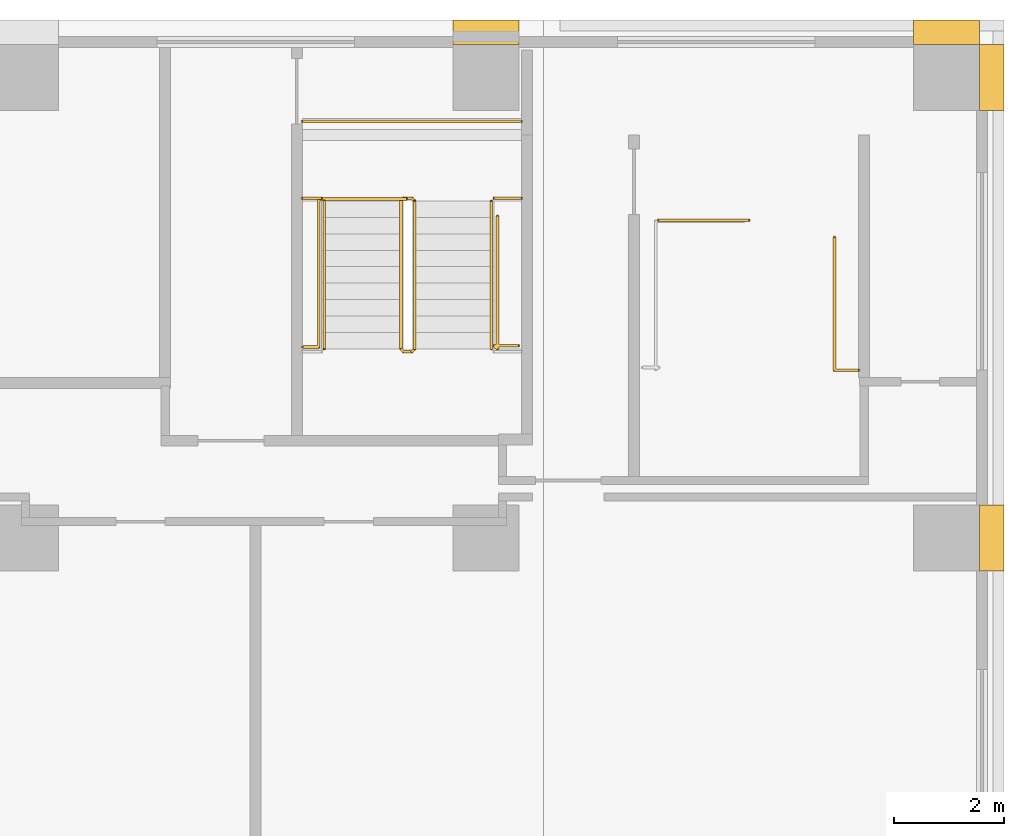
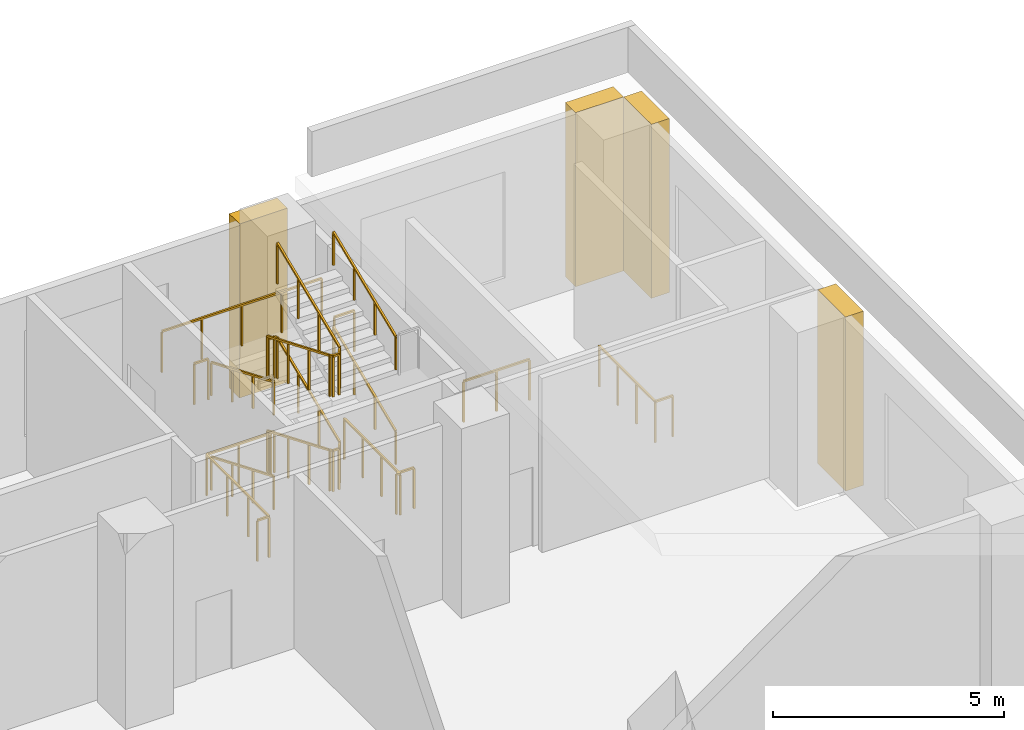
# One storey, part 23 of 23: 12 railings, 4 coverings.
"""IFC4 building model written with IfcOpenShell, lengths in metres."""

from ifc_helpers import new_model, si_unit, direction, frame, origin, origin_2d, place, context, subcontext, project, spatial, polyline, rectangle, outline, extrude, material, type_object, element, save


model = new_model("IFC4")

# Units and contexts
model_context = context("Model", 3, precision=1e-05, world=origin(), true_north=direction((0.0, 1.0)))
body_context = subcontext(model_context, "Body", "Model", "MODEL_VIEW")
ifc_project = project(units=[si_unit("LENGTHUNIT", "METRE"), si_unit("AREAUNIT", "SQUARE_METRE"), si_unit("VOLUMEUNIT", "CUBIC_METRE"), si_unit("PLANEANGLEUNIT", "RADIAN"), si_unit("MASSUNIT", "GRAM", prefix="KILO")], contexts=[model_context])

# Site, building, storey
site_placement = place(None, origin())
site = spatial("IfcSite", under=ifc_project, at=site_placement, CompositionType="ELEMENT")
building_placement = place(site_placement, origin())
building = spatial("IfcBuilding", under=site, at=building_placement, Name="Vermilion Ogive Tower", CompositionType="ELEMENT")
storey_placement = place(building_placement, frame((0.0, 0.0, 20.0)))
storey = spatial("IfcBuildingStorey", under=building, at=storey_placement, Name="L03", CompositionType="ELEMENT", Elevation=20.0)

# Railings
ifc_material_1 = material(Name="Steel S355 painted", Category="steel")
railing_type_1 = type_object("IfcRailingType", Name="Stair guard 1100", PredefinedType="GUARDRAIL", material=ifc_material_1)
railing_1_placement = place(storey_placement, frame((40.64990234375, 27.199951171875, 0.0)))
element("IfcRailing", 1, at=railing_1_placement, inside=storey, type_object=railing_type_1, Name="L03 PS2 stair guard 8", PredefinedType="GUARDRAIL", context=body_context, shape_type="SweptSolid", body=[
    extrude(rectangle(XDim=0.048095703125, YDim=0.048095703125, at=origin_2d()), frame((0.0, 0.0, 1.076171875), z_axis=(-1.0, 0.0, 0.0), x_axis=(0.0, -1.0, 0.0)), (0.0, 0.0, 1.0), 0.14990234375),
    extrude(rectangle(XDim=0.048095703125, YDim=0.048095703125, at=origin_2d()), frame((-0.14990234375, 0.0, 1.076171875), z_axis=(-0.34841279274, -0.34841279274, 0.870182194549), x_axis=(0.707106781187, -0.707106781187, 0.0)), (0.0, 0.0, 1.0), 0.1435546875),
    extrude(rectangle(XDim=0.048095703125, YDim=0.048095703125, at=origin_2d()), frame((-0.199951171875, -0.050048828125, 1.201171875), z_axis=(0.0, -0.923074453586, 0.384621311341), x_axis=(1.0, 0.0, 0.0)), (0.0, 0.0, 1.0), 2.925048828125),
    extrude(rectangle(XDim=0.048095703125, YDim=0.048095703125, at=origin_2d()), frame((-0.199951171875, -2.75, 2.326171875), z_axis=(0.707106781187, -0.707106781187, 0.0), x_axis=(0.707106781187, 0.707106781187, 0.0)), (0.0, 0.0, 1.0), 0.07080078125),
    extrude(rectangle(XDim=0.048095703125, YDim=0.048095703125, at=origin_2d()), frame((-0.14990234375, -2.800048828125, 2.326171875), z_axis=(1.0, 0.0, 0.0), x_axis=(0.0, 1.0, 0.0)), (0.0, 0.0, 1.0), 0.14990234375),
    extrude(rectangle(XDim=0.048095703125, YDim=0.048095703125, at=origin_2d()), frame((0.0, -2.800048828125, 2.326171875), z_axis=(0.34841279274, 0.34841279274, 0.870182194549), x_axis=(-0.707106781187, 0.707106781187, 0.0)), (0.0, 0.0, 1.0), 0.1435546875),
    extrude(rectangle(XDim=0.048095703125, YDim=0.048095703125, at=origin_2d()), frame((0.050048828125, -2.75, 2.451171875), z_axis=(0.0, 0.923074453586, 0.384621311341), x_axis=(-1.0, 0.0, 0.0)), (0.0, 0.0, 1.0), 2.925048828125),
    extrude(rectangle(XDim=0.048095703125, YDim=0.048095703125, at=origin_2d()), frame((0.050048828125, -0.050048828125, 3.576171875), z_axis=(-0.707106781187, 0.707106781187, 0.0), x_axis=(-0.707106781187, -0.707106781187, 0.0)), (0.0, 0.0, 1.0), 0.07080078125),
    extrude(rectangle(XDim=0.048095703125, YDim=0.048095703125, at=origin_2d()), frame((0.0, 0.0, 3.576171875), z_axis=(-1.0, 0.0, 0.0), x_axis=(0.0, -1.0, 0.0)), (0.0, 0.0, 1.0), 0.14990234375),
    extrude(rectangle(XDim=0.048095703125, YDim=0.048095703125, at=origin_2d()), frame((-0.14990234375, 0.0, 3.576171875), z_axis=(-0.34841279274, -0.34841279274, 0.870182194549), x_axis=(0.707106781187, -0.707106781187, 0.0)), (0.0, 0.0, 1.0), 0.1435546875),
    extrude(rectangle(XDim=0.048095703125, YDim=0.048095703125, at=origin_2d()), frame((-0.199951171875, -0.050048828125, 3.701171875), z_axis=(0.0, -0.923074453586, 0.384621311341), x_axis=(1.0, 0.0, 0.0)), (0.0, 0.0, 1.0), 2.925048828125),
    extrude(rectangle(XDim=0.048095703125, YDim=0.048095703125, at=origin_2d()), frame((-0.199951171875, -2.75, 4.826171875), z_axis=(0.707106781187, -0.707106781187, 0.0), x_axis=(0.707106781187, 0.707106781187, 0.0)), (0.0, 0.0, 1.0), 0.07080078125),
    extrude(rectangle(XDim=0.048095703125, YDim=0.048095703125, at=origin_2d()), frame((-0.14990234375, -2.800048828125, 4.826171875), z_axis=(1.0, 0.0, 0.0), x_axis=(0.0, 1.0, 0.0)), (0.0, 0.0, 1.0), 0.14990234375),
    extrude(rectangle(XDim=0.048095703125, YDim=0.048095703125, at=origin_2d()), frame((0.0, -2.800048828125, 4.826171875), z_axis=(0.34841279274, 0.34841279274, 0.870182194549), x_axis=(-0.707106781187, 0.707106781187, 0.0)), (0.0, 0.0, 1.0), 0.1435546875),
    extrude(rectangle(XDim=0.048095703125, YDim=0.048095703125, at=origin_2d()), frame((0.050048828125, -2.75, 4.951171875), z_axis=(0.0, 0.923074453586, 0.384621311341), x_axis=(-1.0, 0.0, 0.0)), (0.0, 0.0, 1.0), 2.925048828125),
    extrude(rectangle(XDim=0.0419921875, YDim=0.0419921875, at=origin_2d()), origin(), (0.0, 0.0, 1.0), 1.052001953125),
    extrude(rectangle(XDim=0.0419921875, YDim=0.0419921875, at=origin_2d()), frame((-0.14990234375, 0.0, 0.0)), (0.0, 0.0, 1.0), 1.052001953125),
    extrude(rectangle(XDim=0.0419921875, YDim=0.0419921875, at=origin_2d()), frame((-0.199951171875, -0.050048828125, 0.125)), (0.0, 0.0, 1.0), 1.052001953125),
    extrude(rectangle(XDim=0.0419921875, YDim=0.0419921875, at=origin_2d()), frame((-0.199951171875, -0.949951171875, 0.5)), (0.0, 0.0, 1.0), 1.052001953125),
    extrude(rectangle(XDim=0.0419921875, YDim=0.0419921875, at=origin_2d()), frame((-0.199951171875, -1.85009765625, 0.875)), (0.0, 0.0, 1.0), 1.052001953125),
    extrude(rectangle(XDim=0.0419921875, YDim=0.0419921875, at=origin_2d()), frame((-0.199951171875, -2.75, 1.25)), (0.0, 0.0, 1.0), 1.052001953125),
    extrude(rectangle(XDim=0.0419921875, YDim=0.0419921875, at=origin_2d()), frame((-0.14990234375, -2.800048828125, 1.25)), (0.0, 0.0, 1.0), 1.052001953125),
    extrude(rectangle(XDim=0.0419921875, YDim=0.0419921875, at=origin_2d()), frame((0.0, -2.800048828125, 1.25)), (0.0, 0.0, 1.0), 1.052001953125),
    extrude(rectangle(XDim=0.0419921875, YDim=0.0419921875, at=origin_2d()), frame((0.050048828125, -2.75, 1.375)), (0.0, 0.0, 1.0), 1.052001953125),
    extrude(rectangle(XDim=0.0419921875, YDim=0.0419921875, at=origin_2d()), frame((0.050048828125, -1.85009765625, 1.75)), (0.0, 0.0, 1.0), 1.052001953125),
    extrude(rectangle(XDim=0.0419921875, YDim=0.0419921875, at=origin_2d()), frame((0.050048828125, -0.949951171875, 2.125)), (0.0, 0.0, 1.0), 1.052001953125),
    extrude(rectangle(XDim=0.0419921875, YDim=0.0419921875, at=origin_2d()), frame((0.050048828125, -0.050048828125, 2.5)), (0.0, 0.0, 1.0), 1.052001953125),
    extrude(rectangle(XDim=0.0419921875, YDim=0.0419921875, at=origin_2d()), frame((0.0, 0.0, 2.5)), (0.0, 0.0, 1.0), 1.052001953125),
    extrude(rectangle(XDim=0.0419921875, YDim=0.0419921875, at=origin_2d()), frame((-0.14990234375, 0.0, 2.5)), (0.0, 0.0, 1.0), 1.052001953125),
    extrude(rectangle(XDim=0.0419921875, YDim=0.0419921875, at=origin_2d()), frame((-0.199951171875, -0.050048828125, 2.625)), (0.0, 0.0, 1.0), 1.052001953125),
    extrude(rectangle(XDim=0.0419921875, YDim=0.0419921875, at=origin_2d()), frame((-0.199951171875, -0.949951171875, 3.0)), (0.0, 0.0, 1.0), 1.052001953125),
    extrude(rectangle(XDim=0.0419921875, YDim=0.0419921875, at=origin_2d()), frame((-0.199951171875, -1.85009765625, 3.375)), (0.0, 0.0, 1.0), 1.052001953125),
    extrude(rectangle(XDim=0.0419921875, YDim=0.0419921875, at=origin_2d()), frame((-0.199951171875, -2.75, 3.75)), (0.0, 0.0, 1.0), 1.052001953125),
    extrude(rectangle(XDim=0.0419921875, YDim=0.0419921875, at=origin_2d()), frame((-0.14990234375, -2.800048828125, 3.75)), (0.0, 0.0, 1.0), 1.052001953125),
    extrude(rectangle(XDim=0.0419921875, YDim=0.0419921875, at=origin_2d()), frame((0.0, -2.800048828125, 3.75)), (0.0, 0.0, 1.0), 1.052001953125),
    extrude(rectangle(XDim=0.0419921875, YDim=0.0419921875, at=origin_2d()), frame((0.050048828125, -2.75, 3.875)), (0.0, 0.0, 1.0), 1.052001953125),
    extrude(rectangle(XDim=0.0419921875, YDim=0.0419921875, at=origin_2d()), frame((0.050048828125, -1.85009765625, 4.25)), (0.0, 0.0, 1.0), 1.052001953125),
    extrude(rectangle(XDim=0.0419921875, YDim=0.0419921875, at=origin_2d()), frame((0.050048828125, -0.949951171875, 4.625)), (0.0, 0.0, 1.0), 1.052001953125),
    extrude(rectangle(XDim=0.0419921875, YDim=0.0419921875, at=origin_2d()), frame((0.050048828125, -0.050048828125, 5.0)), (0.0, 0.0, 1.0), 1.052001953125),
])
railing_2_placement = place(storey_placement, frame((45.14990234375, 26.800048828125, 0.0)))
element("IfcRailing", 2, at=railing_2_placement, inside=storey, type_object=railing_type_1, Name="L03 PEN top well guard 1", PredefinedType="GUARDRAIL", context=body_context, shape_type="SweptSolid", body=[
    extrude(rectangle(XDim=0.048095703125, YDim=0.048095703125, at=origin_2d()), frame((0.0, 0.0, 1.076171875), z_axis=(1.0, 0.0, 0.0), x_axis=(0.0, 1.0, 0.0)), (0.0, 0.0, 1.0), 1.650146484375),
    extrude(rectangle(XDim=0.0419921875, YDim=0.0419921875, at=origin_2d()), origin(), (0.0, 0.0, 1.0), 1.052001953125),
    extrude(rectangle(XDim=0.0419921875, YDim=0.0419921875, at=origin_2d()), frame((0.8251953125, 0.0, 0.0)), (0.0, 0.0, 1.0), 1.052001953125),
    extrude(rectangle(XDim=0.0419921875, YDim=0.0419921875, at=origin_2d()), frame((1.650146484375, 0.0, 0.0)), (0.0, 0.0, 1.0), 1.052001953125),
])
railing_3_placement = place(storey_placement, frame((38.650146484375, 28.60009765625, 2.5)))
element("IfcRailing", 3, at=railing_3_placement, inside=storey, type_object=railing_type_1, Name="L03 landing guard", PredefinedType="GUARDRAIL", context=body_context, shape_type="SweptSolid", body=[
    extrude(rectangle(XDim=0.048095703125, YDim=0.048095703125, at=origin_2d()), frame((0.0, 0.0, 1.076171875), z_axis=(1.0, 0.0, 0.0), x_axis=(0.0, 1.0, 0.0)), (0.0, 0.0, 1.0), 3.999755859375),
    extrude(rectangle(XDim=0.0419921875, YDim=0.0419921875, at=origin_2d()), origin(), (0.0, 0.0, 1.0), 1.052001953125),
    extrude(rectangle(XDim=0.0419921875, YDim=0.0419921875, at=origin_2d()), frame((1.0, 0.0, 0.0)), (0.0, 0.0, 1.0), 1.052001953125),
    extrude(rectangle(XDim=0.0419921875, YDim=0.0419921875, at=origin_2d()), frame((2.0, 0.0, 0.0)), (0.0, 0.0, 1.0), 1.052001953125),
    extrude(rectangle(XDim=0.0419921875, YDim=0.0419921875, at=origin_2d()), frame((2.999755859375, 0.0, 0.0)), (0.0, 0.0, 1.0), 1.052001953125),
    extrude(rectangle(XDim=0.0419921875, YDim=0.0419921875, at=origin_2d()), frame((3.999755859375, 0.0, 0.0)), (0.0, 0.0, 1.0), 1.052001953125),
])
railing_4_placement = place(storey_placement, frame((38.650146484375, 27.199951171875, 2.5)))
element("IfcRailing", 4, at=railing_4_placement, inside=storey, type_object=railing_type_1, Name="L03 landing guard", PredefinedType="GUARDRAIL", context=body_context, shape_type="SweptSolid", body=[
    extrude(rectangle(XDim=0.048095703125, YDim=0.048095703125, at=origin_2d()), frame((0.0, 0.0, 1.076171875), z_axis=(1.0, 0.0, 0.0), x_axis=(0.0, 1.0, 0.0)), (0.0, 0.0, 1.0), 0.349853515625),
    extrude(rectangle(XDim=0.0419921875, YDim=0.0419921875, at=origin_2d()), origin(), (0.0, 0.0, 1.0), 1.052001953125),
    extrude(rectangle(XDim=0.0419921875, YDim=0.0419921875, at=origin_2d()), frame((0.349853515625, 0.0, 0.0)), (0.0, 0.0, 1.0), 1.052001953125),
])
railing_5_placement = place(storey_placement, frame((42.14990234375, 27.199951171875, 2.5)))
element("IfcRailing", 5, at=railing_5_placement, inside=storey, type_object=railing_type_1, Name="L03 landing guard", PredefinedType="GUARDRAIL", context=body_context, shape_type="SweptSolid", body=[
    extrude(rectangle(XDim=0.048095703125, YDim=0.048095703125, at=origin_2d()), frame((0.0, 0.0, 1.076171875), z_axis=(1.0, 0.0, 0.0), x_axis=(0.0, 1.0, 0.0)), (0.0, 0.0, 1.0), 0.5),
    extrude(rectangle(XDim=0.0419921875, YDim=0.0419921875, at=origin_2d()), origin(), (0.0, 0.0, 1.0), 1.052001953125),
    extrude(rectangle(XDim=0.0419921875, YDim=0.0419921875, at=origin_2d()), frame((0.5, 0.0, 0.0)), (0.0, 0.0, 1.0), 1.052001953125),
])
railing_6_placement = place(storey_placement, frame((38.660888671875, 24.484375, 0.0)))
element("IfcRailing", 6, at=railing_6_placement, inside=storey, type_object=railing_type_1, Name="L03 stair opening guard", PredefinedType="GUARDRAIL", context=body_context, shape_type="SweptSolid", body=[
    extrude(rectangle(XDim=0.048095703125, YDim=0.048095703125, at=origin_2d()), frame((0.0, 0.0, 1.076171875), z_axis=(1.0, 0.0, 0.0), x_axis=(0.0, 1.0, 0.0)), (0.0, 0.0, 1.0), 0.289794921875),
    extrude(rectangle(XDim=0.048095703125, YDim=0.048095703125, at=origin_2d()), frame((0.289794921875, 0.0, 1.076171875), z_axis=(0.0, 1.0, 0.0), x_axis=(-1.0, 0.0, 0.0)), (0.0, 0.0, 1.0), 2.699951171875),
    extrude(rectangle(XDim=0.048095703125, YDim=0.048095703125, at=origin_2d()), frame((0.289794921875, 2.699951171875, 1.076171875), z_axis=(1.0, 0.0, 0.0), x_axis=(0.0, 1.0, 0.0)), (0.0, 0.0, 1.0), 1.60009765625),
    extrude(rectangle(XDim=0.0419921875, YDim=0.0419921875, at=origin_2d()), origin(), (0.0, 0.0, 1.0), 1.052001953125),
    extrude(rectangle(XDim=0.0419921875, YDim=0.0419921875, at=origin_2d()), frame((0.289794921875, 0.0, 0.0)), (0.0, 0.0, 1.0), 1.052001953125),
    extrude(rectangle(XDim=0.0419921875, YDim=0.0419921875, at=origin_2d()), frame((0.289794921875, 0.89990234375, 0.0)), (0.0, 0.0, 1.0), 1.052001953125),
    extrude(rectangle(XDim=0.0419921875, YDim=0.0419921875, at=origin_2d()), frame((0.289794921875, 1.800048828125, 0.0)), (0.0, 0.0, 1.0), 1.052001953125),
    extrude(rectangle(XDim=0.0419921875, YDim=0.0419921875, at=origin_2d()), frame((0.289794921875, 2.699951171875, 0.0)), (0.0, 0.0, 1.0), 1.052001953125),
    extrude(rectangle(XDim=0.0419921875, YDim=0.0419921875, at=origin_2d()), frame((1.08984375, 2.699951171875, 0.0)), (0.0, 0.0, 1.0), 1.052001953125),
    extrude(rectangle(XDim=0.0419921875, YDim=0.0419921875, at=origin_2d()), frame((1.889892578125, 2.699951171875, 0.0)), (0.0, 0.0, 1.0), 1.052001953125),
])
railing_7_placement = place(storey_placement, frame((42.2099609375, 26.8740234375, 0.0)))
element("IfcRailing", 7, at=railing_7_placement, inside=storey, type_object=railing_type_1, Name="L03 stair opening guard", PredefinedType="GUARDRAIL", context=body_context, shape_type="SweptSolid", body=[
    extrude(rectangle(XDim=0.048095703125, YDim=0.048095703125, at=origin_2d()), frame((0.0, 0.0, 1.076171875), z_axis=(0.0, -1.0, 0.0), x_axis=(1.0, 0.0, 0.0)), (0.0, 0.0, 1.0), 2.424072265625),
    extrude(rectangle(XDim=0.048095703125, YDim=0.048095703125, at=origin_2d()), frame((0.0, -2.424072265625, 1.076171875), z_axis=(-0.707106781187, 0.707106781187, 0.0), x_axis=(-0.707106781187, -0.707106781187, 0.0)), (0.0, 0.0, 1.0), 0.0849609375),
    extrude(rectangle(XDim=0.048095703125, YDim=0.048095703125, at=origin_2d()), frame((-0.06005859375, -2.364013671875, 1.076171875), z_axis=(1.0, 0.0, 0.0), x_axis=(0.0, 1.0, 0.0)), (0.0, 0.0, 1.0), 0.440185546875),
    extrude(rectangle(XDim=0.0419921875, YDim=0.0419921875, at=origin_2d()), origin(), (0.0, 0.0, 1.0), 1.052001953125),
    extrude(rectangle(XDim=0.0419921875, YDim=0.0419921875, at=origin_2d()), frame((0.0, -0.80810546875, 0.0)), (0.0, 0.0, 1.0), 1.052001953125),
    extrude(rectangle(XDim=0.0419921875, YDim=0.0419921875, at=origin_2d()), frame((0.0, -1.615966796875, 0.0)), (0.0, 0.0, 1.0), 1.052001953125),
    extrude(rectangle(XDim=0.0419921875, YDim=0.0419921875, at=origin_2d()), frame((0.0, -2.424072265625, 0.0)), (0.0, 0.0, 1.0), 1.052001953125),
    extrude(rectangle(XDim=0.0419921875, YDim=0.0419921875, at=origin_2d()), frame((-0.06005859375, -2.364013671875, 0.0)), (0.0, 0.0, 1.0), 1.052001953125),
    extrude(rectangle(XDim=0.0419921875, YDim=0.0419921875, at=origin_2d()), frame((0.380126953125, -2.364013671875, 0.0)), (0.0, 0.0, 1.0), 1.052001953125),
])
railing_8_placement = place(storey_placement, frame((48.359130859375, 26.485107421875, 0.0)))
element("IfcRailing", 8, at=railing_8_placement, inside=storey, type_object=railing_type_1, Name="L03 stair opening guard", PredefinedType="GUARDRAIL", context=body_context, shape_type="SweptSolid", body=[
    extrude(rectangle(XDim=0.048095703125, YDim=0.048095703125, at=origin_2d()), frame((0.0, 0.0, 1.076171875), z_axis=(0.0, -1.0, 0.0), x_axis=(1.0, 0.0, 0.0)), (0.0, 0.0, 1.0), 2.42431640625),
    extrude(rectangle(XDim=0.048095703125, YDim=0.048095703125, at=origin_2d()), frame((0.0, -2.42431640625, 1.076171875), z_axis=(1.0, 0.0, 0.0), x_axis=(0.0, 1.0, 0.0)), (0.0, 0.0, 1.0), 0.439697265625),
    extrude(rectangle(XDim=0.0419921875, YDim=0.0419921875, at=origin_2d()), origin(), (0.0, 0.0, 1.0), 1.052001953125),
    extrude(rectangle(XDim=0.0419921875, YDim=0.0419921875, at=origin_2d()), frame((0.0, -0.80810546875, 0.0)), (0.0, 0.0, 1.0), 1.052001953125),
    extrude(rectangle(XDim=0.0419921875, YDim=0.0419921875, at=origin_2d()), frame((0.0, -1.6162109375, 0.0)), (0.0, 0.0, 1.0), 1.052001953125),
    extrude(rectangle(XDim=0.0419921875, YDim=0.0419921875, at=origin_2d()), frame((0.0, -2.42431640625, 0.0)), (0.0, 0.0, 1.0), 1.052001953125),
    extrude(rectangle(XDim=0.0419921875, YDim=0.0419921875, at=origin_2d()), frame((0.439697265625, -2.42431640625, 0.0)), (0.0, 0.0, 1.0), 1.052001953125),
])
ifc_material_2 = material(Name="Stainless steel", Category="steel")
railing_type_2 = type_object("IfcRailingType", Name="Stair handrail 900", PredefinedType="HANDRAIL", material=ifc_material_2)
railing_9_placement = place(storey_placement, frame((39.050048828125, 27.14990234375, 0.125)))
element("IfcRailing", 9, at=railing_9_placement, inside=storey, type_object=railing_type_2, Name="L03 PS2 stair handrail 1", PredefinedType="HANDRAIL", context=body_context, shape_type="SweptSolid", body=[
    extrude(rectangle(XDim=0.048095703125, YDim=0.048095703125, at=origin_2d()), frame((0.0, 0.0, 0.8759765625), z_axis=(0.0, -0.923074453586, 0.384621311341), x_axis=(1.0, 0.0, 0.0)), (0.0, 0.0, 1.0), 2.925048828125),
    extrude(rectangle(XDim=0.0419921875, YDim=0.0419921875, at=origin_2d()), origin(), (0.0, 0.0, 1.0), 0.851806640625),
    extrude(rectangle(XDim=0.0419921875, YDim=0.0419921875, at=origin_2d()), frame((0.0, -0.89990234375, 0.375)), (0.0, 0.0, 1.0), 0.851806640625),
    extrude(rectangle(XDim=0.0419921875, YDim=0.0419921875, at=origin_2d()), frame((0.0, -1.800048828125, 0.75)), (0.0, 0.0, 1.0), 0.851806640625),
    extrude(rectangle(XDim=0.0419921875, YDim=0.0419921875, at=origin_2d()), frame((0.0, -2.699951171875, 1.125)), (0.0, 0.0, 1.0), 0.851806640625),
])
railing_10_placement = place(storey_placement, frame((42.10009765625, 24.449951171875, 1.375)))
element("IfcRailing", 10, at=railing_10_placement, inside=storey, type_object=railing_type_2, Name="L03 PS2 stair handrail 2", PredefinedType="HANDRAIL", context=body_context, shape_type="SweptSolid", body=[
    extrude(rectangle(XDim=0.048095703125, YDim=0.048095703125, at=origin_2d()), frame((0.0, 0.0, 0.8759765625), z_axis=(0.0, 0.923074453586, 0.384621311341), x_axis=(-1.0, 0.0, 0.0)), (0.0, 0.0, 1.0), 2.925048828125),
    extrude(rectangle(XDim=0.0419921875, YDim=0.0419921875, at=origin_2d()), origin(), (0.0, 0.0, 1.0), 0.851806640625),
    extrude(rectangle(XDim=0.0419921875, YDim=0.0419921875, at=origin_2d()), frame((0.0, 0.89990234375, 0.375)), (0.0, 0.0, 1.0), 0.851806640625),
    extrude(rectangle(XDim=0.0419921875, YDim=0.0419921875, at=origin_2d()), frame((0.0, 1.800048828125, 0.75)), (0.0, 0.0, 1.0), 0.851806640625),
    extrude(rectangle(XDim=0.0419921875, YDim=0.0419921875, at=origin_2d()), frame((0.0, 2.699951171875, 1.125)), (0.0, 0.0, 1.0), 0.851806640625),
])
railing_11_placement = place(storey_placement, frame((39.050048828125, 27.14990234375, 2.625)))
element("IfcRailing", 11, at=railing_11_placement, inside=storey, type_object=railing_type_2, Name="L03 PS2 stair handrail 3", PredefinedType="HANDRAIL", context=body_context, shape_type="SweptSolid", body=[
    extrude(rectangle(XDim=0.048095703125, YDim=0.048095703125, at=origin_2d()), frame((0.0, 0.0, 0.8759765625), z_axis=(0.0, -0.923074453586, 0.384621311341), x_axis=(1.0, 0.0, 0.0)), (0.0, 0.0, 1.0), 2.925048828125),
    extrude(rectangle(XDim=0.0419921875, YDim=0.0419921875, at=origin_2d()), origin(), (0.0, 0.0, 1.0), 0.851806640625),
    extrude(rectangle(XDim=0.0419921875, YDim=0.0419921875, at=origin_2d()), frame((0.0, -0.89990234375, 0.375)), (0.0, 0.0, 1.0), 0.851806640625),
    extrude(rectangle(XDim=0.0419921875, YDim=0.0419921875, at=origin_2d()), frame((0.0, -1.800048828125, 0.75)), (0.0, 0.0, 1.0), 0.851806640625),
    extrude(rectangle(XDim=0.0419921875, YDim=0.0419921875, at=origin_2d()), frame((0.0, -2.699951171875, 1.125)), (0.0, 0.0, 1.0), 0.851806640625),
])
railing_12_placement = place(storey_placement, frame((42.10009765625, 24.449951171875, 3.875)))
element("IfcRailing", 12, at=railing_12_placement, inside=storey, type_object=railing_type_2, Name="L03 PS2 stair handrail 4", PredefinedType="HANDRAIL", context=body_context, shape_type="SweptSolid", body=[
    extrude(rectangle(XDim=0.048095703125, YDim=0.048095703125, at=origin_2d()), frame((0.0, 0.0, 0.8759765625), z_axis=(0.0, 0.923074453586, 0.384621311341), x_axis=(-1.0, 0.0, 0.0)), (0.0, 0.0, 1.0), 2.925048828125),
    extrude(rectangle(XDim=0.0419921875, YDim=0.0419921875, at=origin_2d()), origin(), (0.0, 0.0, 1.0), 0.851806640625),
    extrude(rectangle(XDim=0.0419921875, YDim=0.0419921875, at=origin_2d()), frame((0.0, 0.89990234375, 0.375)), (0.0, 0.0, 1.0), 0.851806640625),
    extrude(rectangle(XDim=0.0419921875, YDim=0.0419921875, at=origin_2d()), frame((0.0, 1.800048828125, 0.75)), (0.0, 0.0, 1.0), 0.851806640625),
    extrude(rectangle(XDim=0.0419921875, YDim=0.0419921875, at=origin_2d()), frame((0.0, 2.699951171875, 1.125)), (0.0, 0.0, 1.0), 0.851806640625),
])

# Coverings
ifc_material_3 = material(Name="Stone cladding", Category="masonry")
covering_type = type_object("IfcCoveringType", Name="Stone pier", PredefinedType="CLADDING", material=ifc_material_3)
covering_1_placement = place(storey_placement, origin())
element("IfcCovering", 13, at=covering_1_placement, inside=storey, type_object=covering_type, Name="Stone pier P+420+294", PredefinedType="CLADDING", context=body_context, shape_type="SweptSolid", body=[
    extrude(outline(polyline([(41.39990234375, 30.449951171875), (42.60009765625, 30.449951171875), (42.60009765625, 30.0), (41.39990234375, 30.0), (41.39990234375, 30.449951171875)])), origin(), (0.0, 0.0, 1.0), 4.60009765625),
])
covering_2_placement = place(storey_placement, origin())
element("IfcCovering", 14, at=covering_2_placement, inside=storey, type_object=covering_type, Name="Stone pier P+504+210", PredefinedType="CLADDING", context=body_context, shape_type="SweptSolid", body=[
    extrude(outline(polyline([(51.449951171875, 21.60009765625), (51.449951171875, 20.39990234375), (51.0, 20.39990234375), (51.0, 21.60009765625), (51.449951171875, 21.60009765625)])), origin(), (0.0, 0.0, 1.0), 4.60009765625),
])
covering_3_placement = place(storey_placement, origin())
element("IfcCovering", 15, at=covering_3_placement, inside=storey, type_object=covering_type, Name="Stone pier P+504+294E", PredefinedType="CLADDING", context=body_context, shape_type="SweptSolid", body=[
    extrude(outline(polyline([(51.449951171875, 30.0), (51.449951171875, 28.800048828125), (51.0, 28.800048828125), (51.0, 30.0), (51.449951171875, 30.0)])), origin(), (0.0, 0.0, 1.0), 4.60009765625),
])
covering_4_placement = place(storey_placement, origin())
element("IfcCovering", 16, at=covering_4_placement, inside=storey, type_object=covering_type, Name="Stone pier P+504+294N", PredefinedType="CLADDING", context=body_context, shape_type="SweptSolid", body=[
    extrude(outline(polyline([(51.0, 30.449951171875), (51.0, 30.0), (49.800048828125, 30.0), (49.800048828125, 30.449951171875), (51.0, 30.449951171875)])), origin(), (0.0, 0.0, 1.0), 4.60009765625),
])

save(model, "model.ifc")
